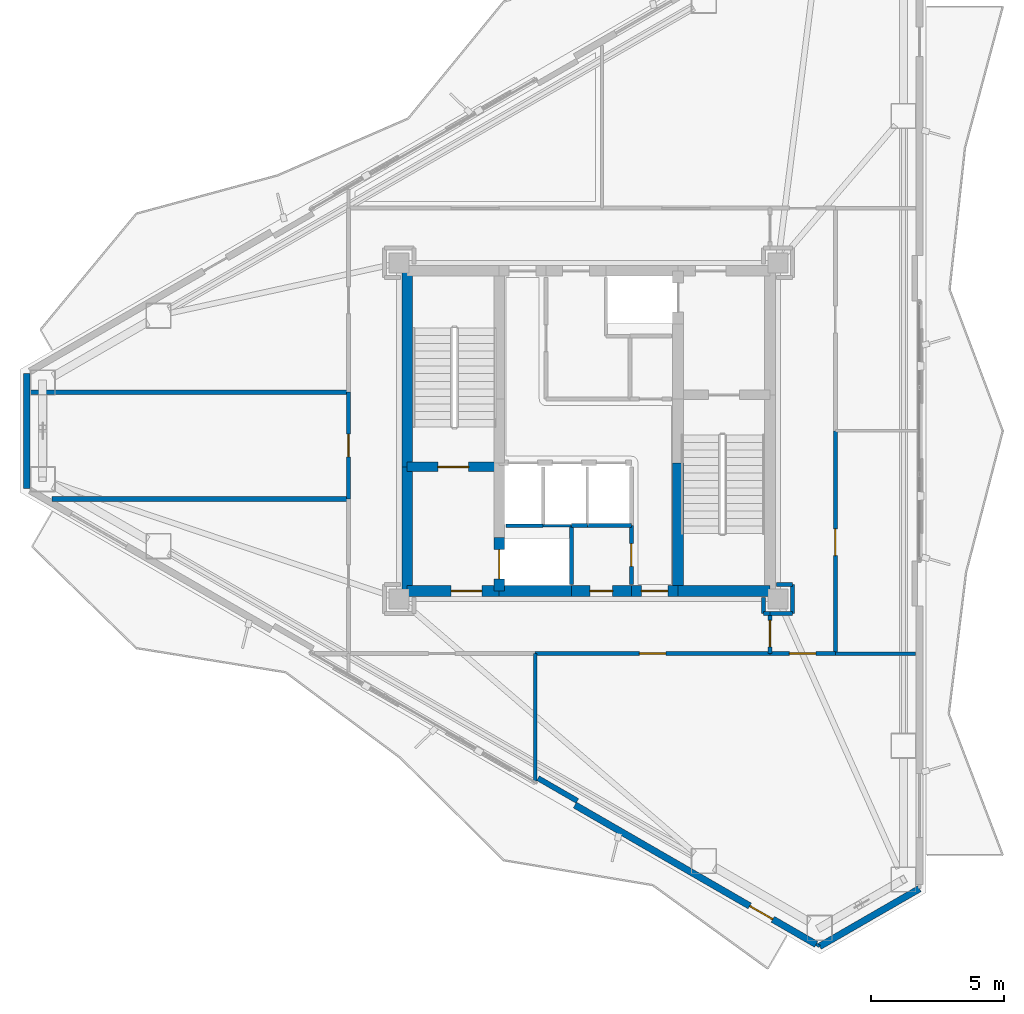
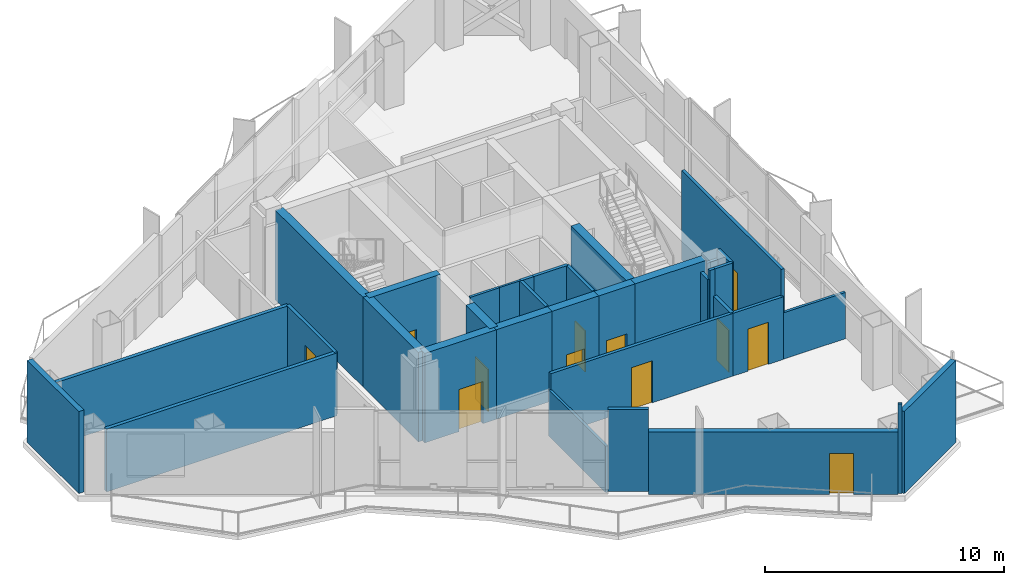
# One storey, part 13 of 18: 35 walls, 12 doors, 12 openings.
"""IFC4 building model written with IfcOpenShell, lengths in metres."""

from ifc_helpers import new_model, si_unit, direction, frame, frame_2d, origin, place, context, subcontext, project, spatial, rectangle, extrude, material, layer, layer_set, type_object, element, fill, save


model = new_model("IFC4")

# Units and contexts
model_context = context("Model", 3, precision=1e-05, world=origin(), true_north=direction((0.0, 1.0)))
body_context = subcontext(model_context, "Body", "Model", "MODEL_VIEW")
ifc_project = project(units=[si_unit("LENGTHUNIT", "METRE"), si_unit("AREAUNIT", "SQUARE_METRE"), si_unit("VOLUMEUNIT", "CUBIC_METRE"), si_unit("PLANEANGLEUNIT", "RADIAN"), si_unit("MASSUNIT", "GRAM", prefix="KILO")], contexts=[model_context])

# Site, building, storey
site_placement = place(None, origin())
site = spatial("IfcSite", under=ifc_project, at=site_placement, CompositionType="ELEMENT")
building_placement = place(site_placement, origin())
building = spatial("IfcBuilding", under=site, at=building_placement, Name="Mersakhor Tower and Convention Hall", CompositionType="ELEMENT")
storey_placement = place(building_placement, frame((0.0, 0.0, 170.699951171875)))
storey = spatial("IfcBuildingStorey", under=building, at=storey_placement, Name="L47", CompositionType="ELEMENT", Elevation=170.699951171875)

# Walls
ifc_material_1 = material(Name="Precast concrete C40/50", Category="concrete")
ifc_layer_1 = layer(ifc_material_1, 0.25)
ifc_layer_set_1 = layer_set([ifc_layer_1], Name="Precast concrete C40/50")
wall_type_1 = type_object("IfcWallType", Name="WL-EXT-250", PredefinedType="SOLIDWALL", material=ifc_layer_set_1)
wall_1_placement = place(storey_placement, frame((41.40380859375, 9.586181640625, 0.0), z_axis=(0.0, 0.0, 1.0), x_axis=(-0.866047252008, -0.499962155857, 0.0)))
element("IfcWall", 1, at=wall_1_placement, inside=storey, type_object=wall_type_1, Name="L47 Chamfer Braced Spandrel Wall C2", PredefinedType="SOLIDWALL", context=body_context, shape_type="SweptSolid", body=[
    extrude(rectangle(XDim=4.320068359375, YDim=0.25, at=frame_2d((2.16015625, 0.0))), origin(), (0.0, 0.0, 1.0), 4.18994140625),
])
wall_2_placement = place(storey_placement, frame((7.933837890625, 24.58984375, 0.0), z_axis=(0.0, 0.0, 1.0), x_axis=(0.0, 1.0, 0.0)))
element("IfcWall", 2, at=wall_2_placement, inside=storey, type_object=wall_type_1, Name="L47 Chamfer Braced Spandrel Wall C3", PredefinedType="SOLIDWALL", context=body_context, shape_type="SweptSolid", body=[
    extrude(rectangle(XDim=4.3203125, YDim=0.25, at=frame_2d((2.16015625, 0.0))), origin(), (0.0, 0.0, 1.0), 4.18994140625),
])

# Wall, opening, door
wall_3_placement = place(storey_placement, frame((37.532470703125, 7.501220703125, 0.0), z_axis=(0.0, 0.0, 1.0), x_axis=(-0.866027516296, 0.499996341005, 0.0)))
wall_3 = element("IfcWall", 3, at=wall_3_placement, inside=storey, type_object=wall_type_1, Name="L47 Exterior Facade Wall F3-B1", PredefinedType="SOLIDWALL", context=body_context, shape_type="SweptSolid", body=[
    extrude(rectangle(XDim=10.4423828125, YDim=0.25, at=frame_2d((5.22119140625, 0.0))), origin(), (0.0, 0.0, 1.0), 3.205078125),
])
opening_1_placement = place(wall_3_placement, frame((1.8779296875, 0.0, 0.0)))
opening_1 = element("IfcOpeningElement", 4, at=opening_1_placement, cuts=wall_3, Name="Opening BD-01", PredefinedType="OPENING", context=body_context, shape_type="SweptSolid", body=[
    extrude(rectangle(XDim=1.0, YDim=2.10009765625, at=frame_2d((0.5, 1.050048828125))), frame((0.0, 0.135009765625, 0.0), z_axis=(0.0, -1.0, 0.0), x_axis=(1.0, 0.0, 0.0)), (0.0, 0.0, 1.0), 0.27001953125),
])
ifc_material_2 = material(Name="Thermally broken dark aluminium and safety glass", Category="aluminium")
door_type_1 = type_object("IfcDoorType", Name="DR-BAL-100x210", OperationType="NOTDEFINED", PredefinedType="DOOR", material=ifc_material_2)
door_1_placement = place(opening_1_placement, origin())
door_1 = element("IfcDoor", 5, at=door_1_placement, inside=storey, type_object=door_type_1, Name="L47 Balcony Terrace Door F3-B1", OperationType="SINGLE_SWING_LEFT", OverallHeight=2.10009765625, OverallWidth=1.0, PredefinedType="DOOR", context=body_context, shape_type="SweptSolid", body=[
    extrude(rectangle(XDim=1.0, YDim=2.10009765625, at=frame_2d((0.5, 1.050048828125))), frame((0.0, 0.02490234375, 0.0), z_axis=(0.0, -1.0, 0.0), x_axis=(1.0, 0.0, 0.0)), (0.0, 0.0, 1.0), 0.050048828125),
])
fill(opening_1, door_1)

# Walls
ifc_material_3 = material(Name="Precast concrete C40/50", Category="concrete")
ifc_layer_2 = layer(ifc_material_3, 0.199951171875)
ifc_layer_set_2 = layer_set([ifc_layer_2], Name="Precast concrete C40/50")
wall_type_2 = type_object("IfcWallType", Name="WL-PAR-200", PredefinedType="PARAPET", material=ifc_layer_set_2)
wall_4_placement = place(storey_placement, frame((28.5791015625, 12.87841796875, 0.0), z_axis=(0.0, 0.0, 1.0), x_axis=(-0.866087547558, 0.499892348375, 0.0)))
element("IfcWall", 6, at=wall_4_placement, inside=storey, type_object=wall_type_2, Name="L47 Column Pier Cladding Wall F3-C1", PredefinedType="PARAPET", context=body_context, shape_type="SweptSolid", body=[
    extrude(rectangle(XDim=1.699951171875, YDim=0.199951171875, at=frame_2d((0.85009765625, 0.0))), origin(), (0.0, 0.0, 1.0), 4.18994140625),
])
ifc_material_4 = material(Name="Moisture-resistant acoustic drywall studwork", Category="other")
ifc_layer_3 = layer(ifc_material_4, 0.175048828125)
ifc_layer_set_3 = layer_set([ifc_layer_3], Name="Moisture-resistant acoustic drywall studwork")
wall_type_3 = type_object("IfcWallType", Name="WL-PLM-175", PredefinedType="PLUMBINGWALL", material=ifc_layer_set_3)
wall_5_placement = place(storey_placement, frame((8.8798828125, 24.199951171875, 0.0), z_axis=(0.0, 0.0, 1.0), x_axis=(1.0, 0.0, 0.0)))
element("IfcWall", 7, at=wall_5_placement, inside=storey, type_object=wall_type_3, Name="L47 Interior Partition Wall P-050", PredefinedType="PLUMBINGWALL", context=body_context, shape_type="SweptSolid", body=[
    extrude(rectangle(XDim=11.1201171875, YDim=0.175048828125, at=frame_2d((5.56005859375, 0.0))), origin(), (0.0, 0.0, 1.0), 3.205078125),
])
wall_6_placement = place(storey_placement, frame((8.0830078125, 28.199951171875, 0.0), z_axis=(0.0, 0.0, 1.0), x_axis=(1.0, 0.0, 0.0)))
element("IfcWall", 8, at=wall_6_placement, inside=storey, type_object=wall_type_3, Name="L47 Interior Partition Wall P-051", PredefinedType="PLUMBINGWALL", context=body_context, shape_type="SweptSolid", body=[
    extrude(rectangle(XDim=11.9169921875, YDim=0.175048828125, at=frame_2d((5.95849609375, 0.0))), origin(), (0.0, 0.0, 1.0), 3.205078125),
])
ifc_material_5 = material(Name="Lightweight gypsum partition", Category="other")
ifc_layer_4 = layer(ifc_material_5, 0.10009765625)
ifc_layer_set_4 = layer_set([ifc_layer_4], Name="Lightweight gypsum partition")
wall_type_4 = type_object("IfcWallType", Name="WL-PRT-100", PredefinedType="PARTITIONING", material=ifc_layer_set_4)
wall_7_placement = place(storey_placement, frame((27.300048828125, 23.199951171875, 0.0), z_axis=(0.0, 0.0, 1.0), x_axis=(1.0, 0.0, 0.0)))
element("IfcWall", 9, at=wall_7_placement, inside=storey, type_object=wall_type_4, Name="L47 Interior Partition Wall P-002", PredefinedType="PARTITIONING", context=body_context, shape_type="SweptSolid", body=[
    extrude(rectangle(XDim=1.050048828125, YDim=0.10009765625, at=frame_2d((0.52490234375, 0.0))), origin(), (0.0, 0.0, 1.0), 4.570068359375),
])
wall_8_placement = place(storey_placement, frame((37.662109375, 7.426025390625, 0.0), z_axis=(0.0, 0.0, 1.0), x_axis=(-0.866131372301, 0.499816412211, 0.0)))
element("IfcWall", 10, at=wall_8_placement, inside=storey, type_object=wall_type_4, Name="L47 Interior Partition Wall P-058", PredefinedType="PARTITIONING", context=body_context, shape_type="SweptSolid", body=[
    extrude(rectangle(XDim=0.14990234375, YDim=0.10009765625, at=frame_2d((0.074951171875, 0.0))), origin(), (0.0, 0.0, 1.0), 4.570068359375),
])
ifc_material_6 = material(Name="Gypsum board acoustic partition", Category="other")
ifc_layer_5 = layer(ifc_material_6, 0.125)
ifc_layer_set_5 = layer_set([ifc_layer_5], Name="Gypsum board acoustic partition")
wall_type_5 = type_object("IfcWallType", Name="WL-PRT-125", PredefinedType="PARTITIONING", material=ifc_layer_set_5)
wall_9_placement = place(storey_placement, frame((25.89990234375, 23.199951171875, 0.0), z_axis=(0.0, 0.0, 1.0), x_axis=(1.0, 0.0, 0.0)))
element("IfcWall", 11, at=wall_9_placement, inside=storey, type_object=wall_type_5, Name="L47 Interior Partition Wall P-001", PredefinedType="PARTITIONING", context=body_context, shape_type="SweptSolid", body=[
    extrude(rectangle(XDim=1.400146484375, YDim=0.125, at=frame_2d((0.7001953125, 0.0))), origin(), (0.0, 0.0, 1.0), 4.570068359375),
])
wall_10_placement = place(storey_placement, frame((41.2548828125, 18.39990234375, 0.0), z_axis=(0.0, 0.0, 1.0), x_axis=(-1.0, 0.0, 0.0)))
element("IfcWall", 12, at=wall_10_placement, inside=storey, type_object=wall_type_5, Name="L47 Interior Partition Wall P-057", PredefinedType="PARTITIONING", context=body_context, shape_type="SweptSolid", body=[
    extrude(rectangle(XDim=3.0048828125, YDim=0.125, at=frame_2d((1.50244140625, 0.0))), origin(), (0.0, 0.0, 1.0), 2.364990234375),
])
wall_11_placement = place(storey_placement, frame((27.0, 13.630615234375, 0.0), z_axis=(0.0, 0.0, 1.0), x_axis=(0.0, 1.0, 0.0)))
element("IfcWall", 13, at=wall_11_placement, inside=storey, type_object=wall_type_5, Name="L47 Interior Partition Wall P-059", PredefinedType="PARTITIONING", context=body_context, shape_type="SweptSolid", body=[
    extrude(rectangle(XDim=4.769287109375, YDim=0.125, at=frame_2d((2.384765625, 0.0))), origin(), (0.0, 0.0, 1.0), 2.364990234375),
])
ifc_material_7 = material(Name="Fire-rated gypsum board stud partition", Category="other")
ifc_layer_6 = layer(ifc_material_7, 0.14990234375)
ifc_layer_set_6 = layer_set([ifc_layer_6], Name="Fire-rated gypsum board stud partition")
wall_type_6 = type_object("IfcWallType", Name="WL-PRT-150", PredefinedType="PARTITIONING", material=ifc_layer_set_6)
wall_12_placement = place(storey_placement, frame((28.35009765625, 23.199951171875, 0.0), z_axis=(0.0, 0.0, 1.0), x_axis=(0.0, -1.0, 0.0)))
element("IfcWall", 14, at=wall_12_placement, inside=storey, type_object=wall_type_6, Name="L47 Interior Partition Wall P-003", PredefinedType="PARTITIONING", context=body_context, shape_type="SweptSolid", body=[
    extrude(rectangle(XDim=2.199951171875, YDim=0.14990234375, at=frame_2d((1.10009765625, 0.0))), origin(), (0.0, 0.0, 1.0), 4.570068359375),
])
wall_13_placement = place(storey_placement, frame((28.949951171875, 23.199951171875, 0.0), z_axis=(0.0, 0.0, 1.0), x_axis=(-1.0, 0.0, 0.0)))
element("IfcWall", 15, at=wall_13_placement, inside=storey, type_object=wall_type_6, Name="L47 Interior Partition Wall P-009", PredefinedType="PARTITIONING", context=body_context, shape_type="SweptSolid", body=[
    extrude(rectangle(XDim=0.599853515625, YDim=0.14990234375, at=frame_2d((0.2998046875, 0.0))), origin(), (0.0, 0.0, 1.0), 4.570068359375),
])
wall_14_placement = place(storey_placement, frame((30.60009765625, 23.199951171875, 0.0), z_axis=(0.0, 0.0, 1.0), x_axis=(-1.0, 0.0, 0.0)))
element("IfcWall", 16, at=wall_14_placement, inside=storey, type_object=wall_type_6, Name="L47 Interior Partition Wall P-011", PredefinedType="PARTITIONING", context=body_context, shape_type="SweptSolid", body=[
    extrude(rectangle(XDim=1.650146484375, YDim=0.14990234375, at=frame_2d((0.8251953125, 0.0))), origin(), (0.0, 0.0, 1.0), 4.570068359375),
])

# Wall, opening, door
wall_15_placement = place(storey_placement, frame((30.60009765625, 21.0, 0.0), z_axis=(0.0, 0.0, 1.0), x_axis=(0.0, 1.0, 0.0)))
wall_15 = element("IfcWall", 17, at=wall_15_placement, inside=storey, type_object=wall_type_6, Name="L47 Interior Partition Wall P-012", PredefinedType="PARTITIONING", context=body_context, shape_type="SweptSolid", body=[
    extrude(rectangle(XDim=2.199951171875, YDim=0.14990234375, at=frame_2d((1.10009765625, 0.0))), origin(), (0.0, 0.0, 1.0), 4.570068359375),
])
opening_2_placement = place(wall_15_placement, frame((0.675048828125, 0.0, 0.0)))
opening_2 = element("IfcOpeningElement", 18, at=opening_2_placement, cuts=wall_15, Name="Opening SVD-01", PredefinedType="OPENING", context=body_context, shape_type="SweptSolid", body=[
    extrude(rectangle(XDim=0.85009765625, YDim=2.10009765625, at=frame_2d((0.425048828125, 1.050048828125))), frame((0.0, 0.0849609375, 0.0), z_axis=(0.0, -1.0, 0.0), x_axis=(1.0, 0.0, 0.0)), (0.0, 0.0, 1.0), 0.169921875),
])
ifc_material_8 = material(Name="Fire-rated hardwood leaf and painted steel frame", Category="steel")
door_type_2 = type_object("IfcDoorType", Name="DR-INT-SVC-085x210", OperationType="NOTDEFINED", PredefinedType="DOOR", material=ifc_material_8)
door_2_placement = place(opening_2_placement, origin())
door_2 = element("IfcDoor", 19, at=door_2_placement, inside=storey, type_object=door_type_2, Name="L47 Central Passenger Lift Lobby to Electrical Distribution Room Door", OperationType="SINGLE_SWING_RIGHT", OverallHeight=2.10009765625, OverallWidth=0.85009765625, PredefinedType="DOOR", context=body_context, shape_type="SweptSolid", body=[
    extrude(rectangle(XDim=0.85009765625, YDim=2.10009765625, at=frame_2d((0.425048828125, 1.050048828125))), frame((0.0, 0.02490234375, 0.0), z_axis=(0.0, -1.0, 0.0), x_axis=(1.0, 0.0, 0.0)), (0.0, 0.0, 1.0), 0.050048828125),
])
fill(opening_2, door_2)

# Walls
wall_16_placement = place(storey_placement, frame((35.550048828125, 20.5, 0.0), z_axis=(0.0, 0.0, 1.0), x_axis=(0.0, -1.0, 0.0)))
element("IfcWall", 20, at=wall_16_placement, inside=storey, type_object=wall_type_6, Name="L47 Interior Partition Wall P-018", PredefinedType="PARTITIONING", context=body_context, shape_type="SweptSolid", body=[
    extrude(rectangle(XDim=0.60009765625, YDim=0.14990234375, at=frame_2d((0.300048828125, 0.0))), origin(), (0.0, 0.0, 1.0), 4.094970703125),
])
wall_17_placement = place(storey_placement, frame((35.550048828125, 19.89990234375, 0.0), z_axis=(0.0, 0.0, 1.0), x_axis=(1.0, 0.0, 0.0)))
element("IfcWall", 21, at=wall_17_placement, inside=storey, type_object=wall_type_6, Name="L47 Interior Partition Wall P-019", PredefinedType="PARTITIONING", context=body_context, shape_type="SweptSolid", body=[
    extrude(rectangle(XDim=0.25, YDim=0.14990234375, at=frame_2d((0.125, 0.0))), origin(), (0.0, 0.0, 1.0), 4.570068359375),
])

# Wall, opening, door
wall_18_placement = place(storey_placement, frame((35.800048828125, 19.89990234375, 0.0), z_axis=(0.0, 0.0, 1.0), x_axis=(0.0, -1.0, 0.0)))
wall_18 = element("IfcWall", 22, at=wall_18_placement, inside=storey, type_object=wall_type_6, Name="L47 Interior Partition Wall P-020", PredefinedType="PARTITIONING", context=body_context, shape_type="SweptSolid", body=[
    extrude(rectangle(XDim=1.5, YDim=0.14990234375, at=frame_2d((0.75, 0.0))), origin(), (0.0, 0.0, 1.0), 3.205078125),
])
opening_3_placement = place(wall_18_placement, frame((0.25, 0.0, 0.0)))
opening_3 = element("IfcOpeningElement", 23, at=opening_3_placement, cuts=wall_18, Name="Opening FD-01", PredefinedType="OPENING", context=body_context, shape_type="SweptSolid", body=[
    extrude(rectangle(XDim=1.0, YDim=2.14990234375, at=frame_2d((0.5, 1.074951171875))), frame((0.0, 0.0849609375, 0.0), z_axis=(0.0, -1.0, 0.0), x_axis=(1.0, 0.0, 0.0)), (0.0, 0.0, 1.0), 0.169921875),
])
ifc_material_9 = material(Name="Fire-rated hardwood leaf and painted steel frame", Category="steel")
door_type_3 = type_object("IfcDoorType", Name="DR-INT-FLT-100x215", OperationType="NOTDEFINED", PredefinedType="DOOR", material=ifc_material_9)
door_3_placement = place(opening_3_placement, origin())
door_3 = element("IfcDoor", 24, at=door_3_placement, inside=storey, type_object=door_type_3, Name="L47 Ring Corridor Fire Door", OperationType="SINGLE_SWING_LEFT", OverallHeight=2.14990234375, OverallWidth=1.0, PredefinedType="DOOR", context=body_context, shape_type="SweptSolid", body=[
    extrude(rectangle(XDim=1.0, YDim=2.14990234375, at=frame_2d((0.5, 1.074951171875))), frame((0.0, 0.02490234375, 0.0), z_axis=(0.0, -1.0, 0.0), x_axis=(1.0, 0.0, 0.0)), (0.0, 0.0, 1.0), 0.050048828125),
])
fill(opening_3, door_3)

wall_19_placement = place(storey_placement, frame((35.800048828125, 18.39990234375, 0.0), z_axis=(0.0, 0.0, 1.0), x_axis=(-1.0, 0.0, 0.0)))
wall_19 = element("IfcWall", 25, at=wall_19_placement, inside=storey, type_object=wall_type_6, Name="L47 Interior Partition Wall P-021", PredefinedType="PARTITIONING", context=body_context, shape_type="SweptSolid", body=[
    extrude(rectangle(XDim=8.800048828125, YDim=0.14990234375, at=frame_2d((4.39990234375, 0.0))), origin(), (0.0, 0.0, 1.0), 3.205078125),
])
opening_4_placement = place(wall_19_placement, frame((3.89990234375, 0.0, 0.0)))
opening_4 = element("IfcOpeningElement", 26, at=opening_4_placement, cuts=wall_19, Name="Opening FD-01", PredefinedType="OPENING", context=body_context, shape_type="SweptSolid", body=[
    extrude(rectangle(XDim=1.0, YDim=2.14990234375, at=frame_2d((0.5, 1.074951171875))), frame((0.0, 0.0849609375, 0.0), z_axis=(0.0, -1.0, 0.0), x_axis=(1.0, 0.0, 0.0)), (0.0, 0.0, 1.0), 0.169921875),
])
door_4_placement = place(opening_4_placement, origin())
door_4 = element("IfcDoor", 27, at=door_4_placement, inside=storey, type_object=door_type_3, Name="L47 L47 Sky-Lobby Corridor to Ceramics and Art Workshop Door", OperationType="SINGLE_SWING_LEFT", OverallHeight=2.14990234375, OverallWidth=1.0, PredefinedType="DOOR", context=body_context, shape_type="SweptSolid", body=[
    extrude(rectangle(XDim=1.0, YDim=2.14990234375, at=frame_2d((0.5, 1.074951171875))), frame((0.0, 0.02490234375, 0.0), z_axis=(0.0, -1.0, 0.0), x_axis=(1.0, 0.0, 0.0)), (0.0, 0.0, 1.0), 0.050048828125),
])
fill(opening_4, door_4)

wall_20_placement = place(storey_placement, frame((20.0, 24.199951171875, 0.0), z_axis=(0.0, 0.0, 1.0), x_axis=(0.0, 1.0, 0.0)))
wall_20 = element("IfcWall", 28, at=wall_20_placement, inside=storey, type_object=wall_type_6, Name="L47 Interior Partition Wall P-024", PredefinedType="PARTITIONING", context=body_context, shape_type="SweptSolid", body=[
    extrude(rectangle(XDim=4.0, YDim=0.14990234375, at=frame_2d((2.0, 0.0))), origin(), (0.0, 0.0, 1.0), 3.205078125),
])
opening_5_placement = place(wall_20_placement, frame((1.574951171875, 0.0, 0.0)))
opening_5 = element("IfcOpeningElement", 29, at=opening_5_placement, cuts=wall_20, Name="Opening SVD-01", PredefinedType="OPENING", context=body_context, shape_type="SweptSolid", body=[
    extrude(rectangle(XDim=0.85009765625, YDim=2.10009765625, at=frame_2d((0.425048828125, 1.050048828125))), frame((0.0, 0.0849609375, 0.0), z_axis=(0.0, -1.0, 0.0), x_axis=(1.0, 0.0, 0.0)), (0.0, 0.0, 1.0), 0.169921875),
])
door_5_placement = place(opening_5_placement, origin())
door_5 = element("IfcDoor", 30, at=door_5_placement, inside=storey, type_object=door_type_2, Name="L47 L47 Sky-Lobby Corridor to Level 47 Accessible Toilet WC Door", OperationType="SINGLE_SWING_RIGHT", OverallHeight=2.10009765625, OverallWidth=0.85009765625, PredefinedType="DOOR", context=body_context, shape_type="SweptSolid", body=[
    extrude(rectangle(XDim=0.85009765625, YDim=2.10009765625, at=frame_2d((0.425048828125, 1.050048828125))), frame((0.0, 0.02490234375, 0.0), z_axis=(0.0, -1.0, 0.0), x_axis=(1.0, 0.0, 0.0)), (0.0, 0.0, 1.0), 0.050048828125),
])
fill(opening_5, door_5)

# Wall
wall_21_placement = place(storey_placement, frame((36.64990234375, 21.0, 0.0), z_axis=(0.0, 0.0, 1.0), x_axis=(-1.0, 0.0, 0.0)))
element("IfcWall", 31, at=wall_21_placement, inside=storey, type_object=wall_type_6, Name="L47 Interior Partition Wall P-037", PredefinedType="PARTITIONING", context=body_context, shape_type="SweptSolid", body=[
    extrude(rectangle(XDim=0.599853515625, YDim=0.14990234375, at=frame_2d((0.2998046875, 0.0))), origin(), (0.0, 0.0, 1.0), 4.094970703125),
])

# Wall, opening, door
wall_22_placement = place(storey_placement, frame((38.25, 26.75, 0.0), z_axis=(0.0, 0.0, 1.0), x_axis=(0.0, -1.0, 0.0)))
wall_22 = element("IfcWall", 32, at=wall_22_placement, inside=storey, type_object=wall_type_6, Name="L47 Interior Partition Wall P-043", PredefinedType="PARTITIONING", context=body_context, shape_type="SweptSolid", body=[
    extrude(rectangle(XDim=8.35009765625, YDim=0.14990234375, at=frame_2d((4.175048828125, 0.0))), origin(), (0.0, 0.0, 1.0), 4.570068359375),
])
opening_6_placement = place(wall_22_placement, frame((3.675048828125, 0.0, 0.0)))
opening_6 = element("IfcOpeningElement", 33, at=opening_6_placement, cuts=wall_22, Name="Opening FD-01", PredefinedType="OPENING", context=body_context, shape_type="SweptSolid", body=[
    extrude(rectangle(XDim=1.0, YDim=2.14990234375, at=frame_2d((0.5, 1.074951171875))), frame((0.0, 0.0849609375, 0.0), z_axis=(0.0, -1.0, 0.0), x_axis=(1.0, 0.0, 0.0)), (0.0, 0.0, 1.0), 0.169921875),
])
door_6_placement = place(opening_6_placement, origin())
door_6 = element("IfcDoor", 34, at=door_6_placement, inside=storey, type_object=door_type_3, Name="L47 L47 Sky-Lobby East Corridor to Residents Tea Lounge Door", OperationType="SINGLE_SWING_RIGHT", OverallHeight=2.14990234375, OverallWidth=1.0, PredefinedType="DOOR", context=body_context, shape_type="SweptSolid", body=[
    extrude(rectangle(XDim=1.0, YDim=2.14990234375, at=frame_2d((0.5, 1.074951171875))), frame((0.0, 0.02490234375, 0.0), z_axis=(0.0, -1.0, 0.0), x_axis=(1.0, 0.0, 0.0)), (0.0, 0.0, 1.0), 0.050048828125),
])
fill(opening_6, door_6)

wall_23_placement = place(storey_placement, frame((38.25, 18.39990234375, 0.0), z_axis=(0.0, 0.0, 1.0), x_axis=(-1.0, 0.0, 0.0)))
wall_23 = element("IfcWall", 35, at=wall_23_placement, inside=storey, type_object=wall_type_6, Name="L47 Interior Partition Wall P-044", PredefinedType="PARTITIONING", context=body_context, shape_type="SweptSolid", body=[
    extrude(rectangle(XDim=2.449951171875, YDim=0.14990234375, at=frame_2d((1.22509765625, 0.0))), origin(), (0.0, 0.0, 1.0), 3.205078125),
])
opening_7_placement = place(wall_23_placement, frame((0.72509765625, 0.0, 0.0)))
opening_7 = element("IfcOpeningElement", 36, at=opening_7_placement, cuts=wall_23, Name="Opening FD-01", PredefinedType="OPENING", context=body_context, shape_type="SweptSolid", body=[
    extrude(rectangle(XDim=1.0, YDim=2.14990234375, at=frame_2d((0.5, 1.074951171875))), frame((0.0, 0.0849609375, 0.0), z_axis=(0.0, -1.0, 0.0), x_axis=(1.0, 0.0, 0.0)), (0.0, 0.0, 1.0), 0.169921875),
])
door_7_placement = place(opening_7_placement, origin())
door_7 = element("IfcDoor", 37, at=door_7_placement, inside=storey, type_object=door_type_3, Name="L47 L47 Sky-Lobby East Corridor to Ceramics and Art Workshop Door", OperationType="SINGLE_SWING_LEFT", OverallHeight=2.14990234375, OverallWidth=1.0, PredefinedType="DOOR", context=body_context, shape_type="SweptSolid", body=[
    extrude(rectangle(XDim=1.0, YDim=2.14990234375, at=frame_2d((0.5, 1.074951171875))), frame((0.0, 0.02490234375, 0.0), z_axis=(0.0, -1.0, 0.0), x_axis=(1.0, 0.0, 0.0)), (0.0, 0.0, 1.0), 0.050048828125),
])
fill(opening_7, door_7)

# Walls
wall_24_placement = place(storey_placement, frame((35.800048828125, 19.89990234375, 0.0), z_axis=(0.0, 0.0, 1.0), x_axis=(1.0, 0.0, 0.0)))
element("IfcWall", 38, at=wall_24_placement, inside=storey, type_object=wall_type_6, Name="L47 Interior Partition Wall P-045", PredefinedType="PARTITIONING", context=body_context, shape_type="SweptSolid", body=[
    extrude(rectangle(XDim=0.849853515625, YDim=0.14990234375, at=frame_2d((0.4248046875, 0.0))), origin(), (0.0, 0.0, 1.0), 4.570068359375),
])
wall_25_placement = place(storey_placement, frame((36.64990234375, 19.89990234375, 0.0), z_axis=(0.0, 0.0, 1.0), x_axis=(0.0, 1.0, 0.0)))
element("IfcWall", 39, at=wall_25_placement, inside=storey, type_object=wall_type_6, Name="L47 Interior Partition Wall P-046", PredefinedType="PARTITIONING", context=body_context, shape_type="SweptSolid", body=[
    extrude(rectangle(XDim=1.10009765625, YDim=0.14990234375, at=frame_2d((0.550048828125, 0.0))), origin(), (0.0, 0.0, 1.0), 4.570068359375),
])

# Wall, opening, door
ifc_material_10 = material(Name="Concrete C50/60", Category="concrete")
ifc_layer_7 = layer(ifc_material_10, 0.35009765625)
ifc_layer_set_7 = layer_set([ifc_layer_7], Name="Concrete C50/60")
wall_type_7 = type_object("IfcWallType", Name="WL-SHR-350", PredefinedType="SHEAR", material=ifc_layer_set_7)
wall_26_placement = place(storey_placement, frame((22.199951171875, 25.39990234375, 0.0), z_axis=(0.0, 0.0, 1.0), x_axis=(1.0, 0.0, 0.0)))
wall_26 = element("IfcWall", 40, at=wall_26_placement, inside=storey, type_object=wall_type_7, Name="L47 Core Wall CS-ST1-S", PredefinedType="SHEAR", context=body_context, shape_type="SweptSolid", body=[
    extrude(rectangle(XDim=3.449951171875, YDim=0.35009765625, at=frame_2d((1.72509765625, 0.0))), origin(), (0.0, 0.0, 1.0), 4.570068359375),
])
opening_8_placement = place(wall_26_placement, frame((1.14990234375, 0.0, 0.0)))
opening_8 = element("IfcOpeningElement", 41, at=opening_8_placement, cuts=wall_26, Name="Opening SD-01", PredefinedType="OPENING", context=body_context, shape_type="SweptSolid", body=[
    extrude(rectangle(XDim=1.14990234375, YDim=2.14990234375, at=frame_2d((0.574951171875, 1.074951171875))), frame((0.0, 0.18505859375, 0.0), z_axis=(0.0, -1.0, 0.0), x_axis=(1.0, 0.0, 0.0)), (0.0, 0.0, 1.0), 0.3701171875),
])
ifc_material_11 = material(Name="Fire-rated hardwood leaf and painted steel frame", Category="steel")
door_type_4 = type_object("IfcDoorType", Name="DR-INT-STAIR-115x215", OperationType="NOTDEFINED", PredefinedType="DOOR", material=ifc_material_11)
door_8_placement = place(opening_8_placement, origin())
door_8 = element("IfcDoor", 42, at=door_8_placement, inside=storey, type_object=door_type_4, Name="L47 Exit Stair ST-1 Enclosure Door", OperationType="SINGLE_SWING_LEFT", OverallHeight=2.14990234375, OverallWidth=1.14990234375, PredefinedType="DOOR", context=body_context, shape_type="SweptSolid", body=[
    extrude(rectangle(XDim=1.14990234375, YDim=2.14990234375, at=frame_2d((0.574951171875, 1.074951171875))), frame((0.0, 0.02490234375, 0.0), z_axis=(0.0, -1.0, 0.0), x_axis=(1.0, 0.0, 0.0)), (0.0, 0.0, 1.0), 0.050048828125),
])
fill(opening_8, door_8)

# Walls
ifc_material_12 = material(Name="Concrete C60/75", Category="concrete")
ifc_layer_8 = layer(ifc_material_12, 0.39990234375)
ifc_layer_set_8 = layer_set([ifc_layer_8], Name="Concrete C60/75")
wall_type_8 = type_object("IfcWallType", Name="WL-SHR-400", PredefinedType="SHEAR", material=ifc_layer_set_8)
wall_27_placement = place(storey_placement, frame((22.199951171875, 20.75, 0.0), z_axis=(0.0, 0.0, 1.0), x_axis=(0.0, 1.0, 0.0)))
element("IfcWall", 43, at=wall_27_placement, inside=storey, type_object=wall_type_8, Name="L47 Core Wall CW-W1", PredefinedType="SHEAR", context=body_context, shape_type="SweptSolid", body=[
    extrude(rectangle(XDim=4.64990234375, YDim=0.39990234375, at=frame_2d((2.324951171875, 0.0))), origin(), (0.0, 0.0, 1.0), 4.570068359375),
])
wall_28_placement = place(storey_placement, frame((22.199951171875, 25.39990234375, 0.0), z_axis=(0.0, 0.0, 1.0), x_axis=(0.0, 1.0, 0.0)))
element("IfcWall", 44, at=wall_28_placement, inside=storey, type_object=wall_type_8, Name="L47 Core Wall CW-W2", PredefinedType="SHEAR", context=body_context, shape_type="SweptSolid", body=[
    extrude(rectangle(XDim=7.35009765625, YDim=0.39990234375, at=frame_2d((3.675048828125, 0.0))), origin(), (0.0, 0.0, 1.0), 4.570068359375),
])
wall_29_placement = place(storey_placement, frame((35.800048828125, 20.75, 0.0), z_axis=(0.0, 0.0, 1.0), x_axis=(-1.0, 0.0, 0.0)))
element("IfcWall", 45, at=wall_29_placement, inside=storey, type_object=wall_type_8, Name="L47 Core Wall CW-S1", PredefinedType="SHEAR", context=body_context, shape_type="SweptSolid", body=[
    extrude(rectangle(XDim=3.449951171875, YDim=0.39990234375, at=frame_2d((1.72509765625, 0.0))), origin(), (0.0, 0.0, 1.0), 4.570068359375),
])

# Wall, opening, door
wall_30_placement = place(storey_placement, frame((32.35009765625, 20.75, 0.0), z_axis=(0.0, 0.0, 1.0), x_axis=(-1.0, 0.0, 0.0)))
wall_30 = element("IfcWall", 46, at=wall_30_placement, inside=storey, type_object=wall_type_8, Name="L47 Core Wall CW-S2A", PredefinedType="SHEAR", context=body_context, shape_type="SweptSolid", body=[
    extrude(rectangle(XDim=1.75, YDim=0.39990234375, at=frame_2d((0.875, 0.0))), origin(), (0.0, 0.0, 1.0), 4.570068359375),
])
opening_9_placement = place(wall_30_placement, frame((0.375, 0.0, 0.0)))
opening_9 = element("IfcOpeningElement", 47, at=opening_9_placement, cuts=wall_30, Name="Opening CFD-01", PredefinedType="OPENING", context=body_context, shape_type="SweptSolid", body=[
    extrude(rectangle(XDim=1.0, YDim=2.14990234375, at=frame_2d((0.5, 1.074951171875))), frame((0.0, 0.2099609375, 0.0), z_axis=(0.0, -1.0, 0.0), x_axis=(1.0, 0.0, 0.0)), (0.0, 0.0, 1.0), 0.419921875),
])
ifc_material_13 = material(Name="Fire-rated hardwood leaf and painted steel frame", Category="steel")
door_type_5 = type_object("IfcDoorType", Name="DR-CORE-FD-100x215", OperationType="NOTDEFINED", PredefinedType="DOOR", material=ifc_material_13)
door_9_placement = place(opening_9_placement, origin())
door_9 = element("IfcDoor", 48, at=door_9_placement, inside=storey, type_object=door_type_5, Name="L47 Lift Lobby South Corridor Door", OperationType="SINGLE_SWING_RIGHT", OverallHeight=2.14990234375, OverallWidth=1.0, PredefinedType="DOOR", context=body_context, shape_type="SweptSolid", body=[
    extrude(rectangle(XDim=1.0, YDim=2.14990234375, at=frame_2d((0.5, 1.074951171875))), frame((0.0, 0.02490234375, 0.0), z_axis=(0.0, -1.0, 0.0), x_axis=(1.0, 0.0, 0.0)), (0.0, 0.0, 1.0), 0.050048828125),
])
fill(opening_9, door_9)

wall_31_placement = place(storey_placement, frame((30.60009765625, 20.75, 0.0), z_axis=(0.0, 0.0, 1.0), x_axis=(-1.0, 0.0, 0.0)))
wall_31 = element("IfcWall", 49, at=wall_31_placement, inside=storey, type_object=wall_type_8, Name="L47 Core Wall CW-S2B", PredefinedType="SHEAR", context=body_context, shape_type="SweptSolid", body=[
    extrude(rectangle(XDim=2.25, YDim=0.39990234375, at=frame_2d((1.125, 0.0))), origin(), (0.0, 0.0, 1.0), 4.570068359375),
])
opening_10_placement = place(wall_31_placement, frame((0.699951171875, 0.0, 0.0)))
opening_10 = element("IfcOpeningElement", 50, at=opening_10_placement, cuts=wall_31, Name="Opening SVD-01", PredefinedType="OPENING", context=body_context, shape_type="SweptSolid", body=[
    extrude(rectangle(XDim=0.85009765625, YDim=2.10009765625, at=frame_2d((0.425048828125, 1.050048828125))), frame((0.0, 0.2099609375, 0.0), z_axis=(0.0, -1.0, 0.0), x_axis=(1.0, 0.0, 0.0)), (0.0, 0.0, 1.0), 0.419921875),
])
door_10_placement = place(opening_10_placement, origin())
door_10 = element("IfcDoor", 51, at=door_10_placement, inside=storey, type_object=door_type_2, Name="L47 L47 Sky-Lobby Corridor to Electrical Distribution Room Door", OperationType="SINGLE_SWING_RIGHT", OverallHeight=2.10009765625, OverallWidth=0.85009765625, PredefinedType="DOOR", context=body_context, shape_type="SweptSolid", body=[
    extrude(rectangle(XDim=0.85009765625, YDim=2.10009765625, at=frame_2d((0.425048828125, 1.050048828125))), frame((0.0, 0.02490234375, 0.0), z_axis=(0.0, -1.0, 0.0), x_axis=(1.0, 0.0, 0.0)), (0.0, 0.0, 1.0), 0.050048828125),
])
fill(opening_10, door_10)

# Wall
wall_32_placement = place(storey_placement, frame((28.35009765625, 20.75, 0.0), z_axis=(0.0, 0.0, 1.0), x_axis=(-1.0, 0.0, 0.0)))
element("IfcWall", 52, at=wall_32_placement, inside=storey, type_object=wall_type_8, Name="L47 Core Wall CW-S3", PredefinedType="SHEAR", context=body_context, shape_type="SweptSolid", body=[
    extrude(rectangle(XDim=2.7001953125, YDim=0.39990234375, at=frame_2d((1.35009765625, 0.0))), origin(), (0.0, 0.0, 1.0), 4.570068359375),
])

# Wall, opening, door
wall_33_placement = place(storey_placement, frame((25.64990234375, 20.75, 0.0), z_axis=(0.0, 0.0, 1.0), x_axis=(-1.0, 0.0, 0.0)))
wall_33 = element("IfcWall", 53, at=wall_33_placement, inside=storey, type_object=wall_type_8, Name="L47 Core Wall CW-S4", PredefinedType="SHEAR", context=body_context, shape_type="SweptSolid", body=[
    extrude(rectangle(XDim=3.449951171875, YDim=0.39990234375, at=frame_2d((1.72509765625, 0.0))), origin(), (0.0, 0.0, 1.0), 4.570068359375),
])
opening_11_placement = place(wall_33_placement, frame((0.64990234375, 0.0, 0.0)))
opening_11 = element("IfcOpeningElement", 54, at=opening_11_placement, cuts=wall_33, Name="Opening SD-01", PredefinedType="OPENING", context=body_context, shape_type="SweptSolid", body=[
    extrude(rectangle(XDim=1.14990234375, YDim=2.14990234375, at=frame_2d((0.574951171875, 1.074951171875))), frame((0.0, 0.2099609375, 0.0), z_axis=(0.0, -1.0, 0.0), x_axis=(1.0, 0.0, 0.0)), (0.0, 0.0, 1.0), 0.419921875),
])
door_11_placement = place(opening_11_placement, origin())
door_11 = element("IfcDoor", 55, at=door_11_placement, inside=storey, type_object=door_type_4, Name="L47 Firefighting Lobby West Fire Door", OperationType="SINGLE_SWING_LEFT", OverallHeight=2.14990234375, OverallWidth=1.14990234375, PredefinedType="DOOR", context=body_context, shape_type="SweptSolid", body=[
    extrude(rectangle(XDim=1.14990234375, YDim=2.14990234375, at=frame_2d((0.574951171875, 1.074951171875))), frame((0.0, 0.02490234375, 0.0), z_axis=(0.0, -1.0, 0.0), x_axis=(1.0, 0.0, 0.0)), (0.0, 0.0, 1.0), 0.050048828125),
])
fill(opening_11, door_11)

wall_34_placement = place(storey_placement, frame((25.64990234375, 20.75, 0.0), z_axis=(0.0, 0.0, 1.0), x_axis=(0.0, 1.0, 0.0)))
wall_34 = element("IfcWall", 56, at=wall_34_placement, inside=storey, type_object=wall_type_8, Name="L47 Core Wall CS-W-FFL", PredefinedType="SHEAR", context=body_context, shape_type="SweptSolid", body=[
    extrude(rectangle(XDim=2.0, YDim=0.39990234375, at=frame_2d((1.0, 0.0))), origin(), (0.0, 0.0, 1.0), 4.570068359375),
])
opening_12_placement = place(wall_34_placement, frame((0.449951171875, 0.0, 0.0)))
opening_12 = element("IfcOpeningElement", 57, at=opening_12_placement, cuts=wall_34, Name="Opening LD-FFL1", PredefinedType="OPENING", context=body_context, shape_type="SweptSolid", body=[
    extrude(rectangle(XDim=1.10009765625, YDim=2.14990234375, at=frame_2d((0.550048828125, 1.074951171875))), frame((0.0, 0.2099609375, 0.0), z_axis=(0.0, -1.0, 0.0), x_axis=(1.0, 0.0, 0.0)), (0.0, 0.0, 1.0), 0.419921875),
])
ifc_material_14 = material(Name="Fire-rated brushed stainless steel sliding landing door", Category="steel")
door_type_6 = type_object("IfcDoorType", Name="DR-LIFT-SLD-110x215", OperationType="NOTDEFINED", PredefinedType="DOOR", material=ifc_material_14)
door_12_placement = place(opening_12_placement, origin())
door_12 = element("IfcDoor", 58, at=door_12_placement, inside=storey, type_object=door_type_6, Name="L47 Firefighting Lift Landing Door LD-FFL1", OperationType="SLIDING_TO_LEFT", OverallHeight=2.14990234375, OverallWidth=1.10009765625, PredefinedType="DOOR", context=body_context, shape_type="SweptSolid", body=[
    extrude(rectangle(XDim=1.10009765625, YDim=2.14990234375, at=frame_2d((0.550048828125, 1.074951171875))), frame((0.0, 0.02490234375, 0.0), z_axis=(0.0, -1.0, 0.0), x_axis=(1.0, 0.0, 0.0)), (0.0, 0.0, 1.0), 0.050048828125),
])
fill(opening_12, door_12)

# Wall
wall_35_placement = place(storey_placement, frame((32.35009765625, 20.75, 0.0), z_axis=(0.0, 0.0, 1.0), x_axis=(0.0, 1.0, 0.0)))
element("IfcWall", 59, at=wall_35_placement, inside=storey, type_object=wall_type_8, Name="L47 Core Wall CS-E-ST2", PredefinedType="SHEAR", context=body_context, shape_type="SweptSolid", body=[
    extrude(rectangle(XDim=4.800048828125, YDim=0.39990234375, at=frame_2d((2.39990234375, 0.0))), origin(), (0.0, 0.0, 1.0), 4.570068359375),
])

save(model, "model.ifc")
